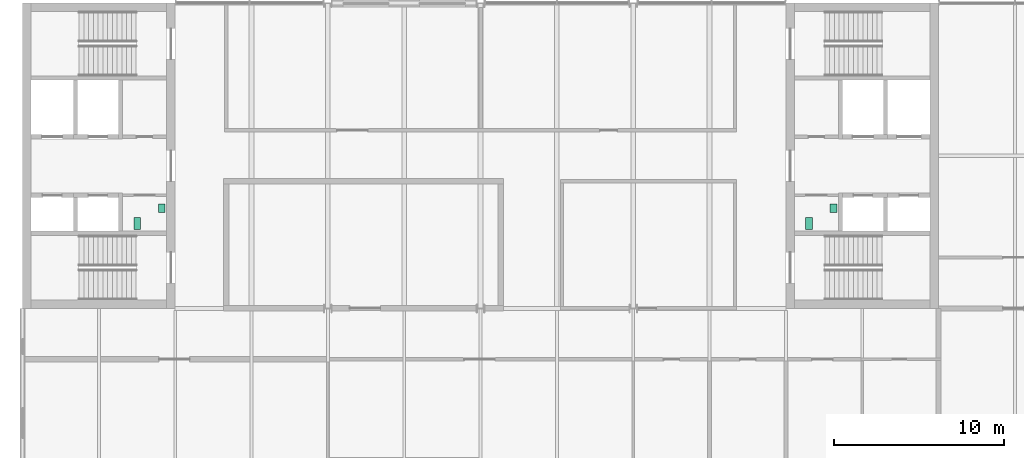
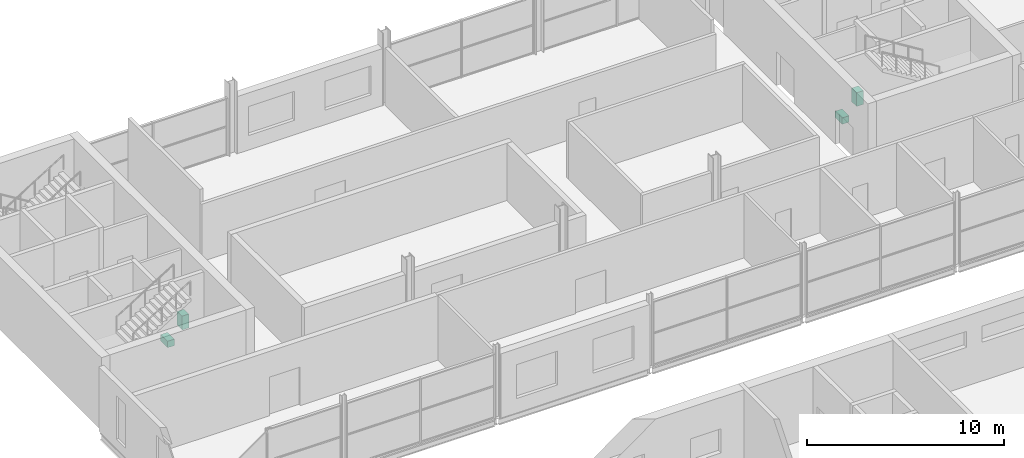
# One storey, part 138 of 138: 4 sanitary terminals.
"""IFC4 building model written with IfcOpenShell, lengths in metres."""

from ifc_helpers import new_model, si_unit, direction, frame, origin, origin_2d, place, context, subcontext, project, spatial, rectangle, extrude, element, save


model = new_model("IFC4")

# Units and contexts
model_context = context("Model", 3, precision=1e-05, world=origin(), true_north=direction((0.0, 1.0)))
body_context = subcontext(model_context, "Body", "Model", "MODEL_VIEW")
ifc_project = project(units=[si_unit("LENGTHUNIT", "METRE"), si_unit("AREAUNIT", "SQUARE_METRE"), si_unit("VOLUMEUNIT", "CUBIC_METRE"), si_unit("PLANEANGLEUNIT", "RADIAN"), si_unit("MASSUNIT", "GRAM", prefix="KILO")], contexts=[model_context])

# Site, building, storey
site_placement = place(None, origin())
site = spatial("IfcSite", under=ifc_project, at=site_placement, CompositionType="ELEMENT")
building_placement = place(site_placement, origin())
building = spatial("IfcBuilding", under=site, at=building_placement, Name="Corbel Yard City Hall", CompositionType="ELEMENT")
storey_placement = place(building_placement, frame((0.0, 0.0, 10.5)))
storey = spatial("IfcBuildingStorey", under=building, at=storey_placement, Name="L02", CompositionType="ELEMENT", Elevation=10.5)

# Sanitary terminals
sanitary_terminal_1_placement = place(storey_placement, frame((46.36669921875, 104.0, 0.0), z_axis=(0.0, 0.0, 1.0), x_axis=(1.0, 0.0, 0.0)))
element("IfcSanitaryTerminal", 1, at=sanitary_terminal_1_placement, inside=storey, Name="Water closet", PredefinedType="TOILETPAN", context=body_context, shape_type="SweptSolid", body=[
    extrude(rectangle(XDim=0.39990234375, YDim=0.699951171875, at=origin_2d()), origin(), (0.0, 0.0, 1.0), 0.39990234375),
])
sanitary_terminal_2_placement = place(storey_placement, frame((47.800048828125, 104.89990234375, 0.0), z_axis=(0.0, 0.0, 1.0), x_axis=(1.0, 0.0, 0.0)))
element("IfcSanitaryTerminal", 2, at=sanitary_terminal_2_placement, inside=storey, Name="Wash basin", PredefinedType="WASHHANDBASIN", context=body_context, shape_type="SweptSolid", body=[
    extrude(rectangle(XDim=0.39990234375, YDim=0.5, at=origin_2d()), origin(), (0.0, 0.0, 1.0), 0.85009765625),
])
sanitary_terminal_3_placement = place(storey_placement, frame((6.7666015625, 104.0, 0.0), z_axis=(0.0, 0.0, 1.0), x_axis=(1.0, 0.0, 0.0)))
element("IfcSanitaryTerminal", 3, at=sanitary_terminal_3_placement, inside=storey, Name="Water closet", PredefinedType="TOILETPAN", context=body_context, shape_type="SweptSolid", body=[
    extrude(rectangle(XDim=0.39990234375, YDim=0.699951171875, at=origin_2d()), origin(), (0.0, 0.0, 1.0), 0.39990234375),
])
sanitary_terminal_4_placement = place(storey_placement, frame((8.199951171875, 104.89990234375, 0.0), z_axis=(0.0, 0.0, 1.0), x_axis=(1.0, 0.0, 0.0)))
element("IfcSanitaryTerminal", 4, at=sanitary_terminal_4_placement, inside=storey, Name="Wash basin", PredefinedType="WASHHANDBASIN", context=body_context, shape_type="SweptSolid", body=[
    extrude(rectangle(XDim=0.39990234375, YDim=0.5, at=origin_2d()), origin(), (0.0, 0.0, 1.0), 0.85009765625),
])

save(model, "model.ifc")
